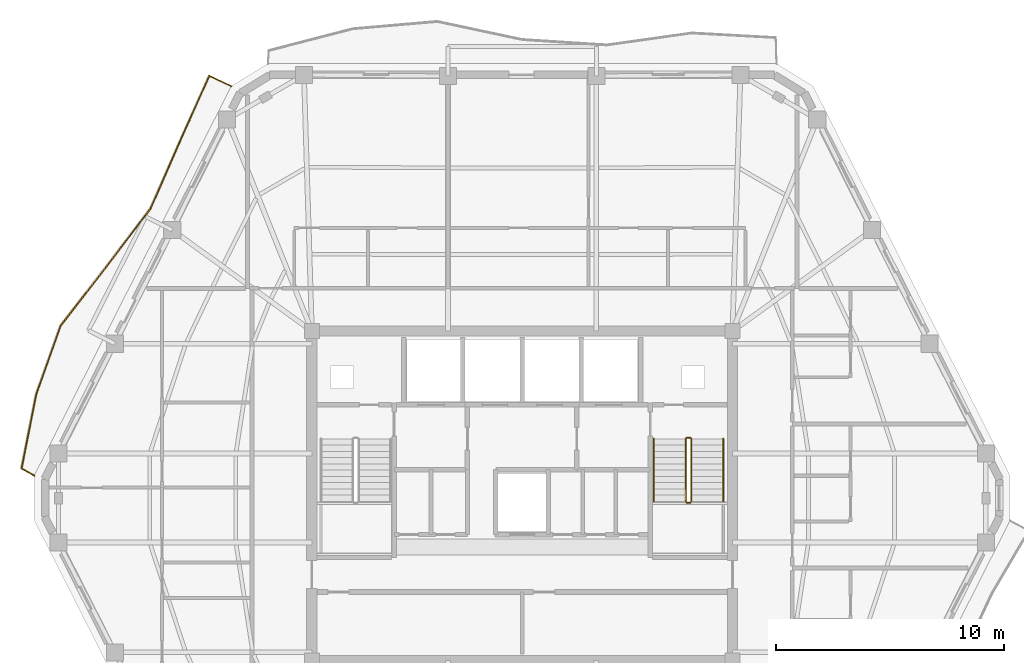
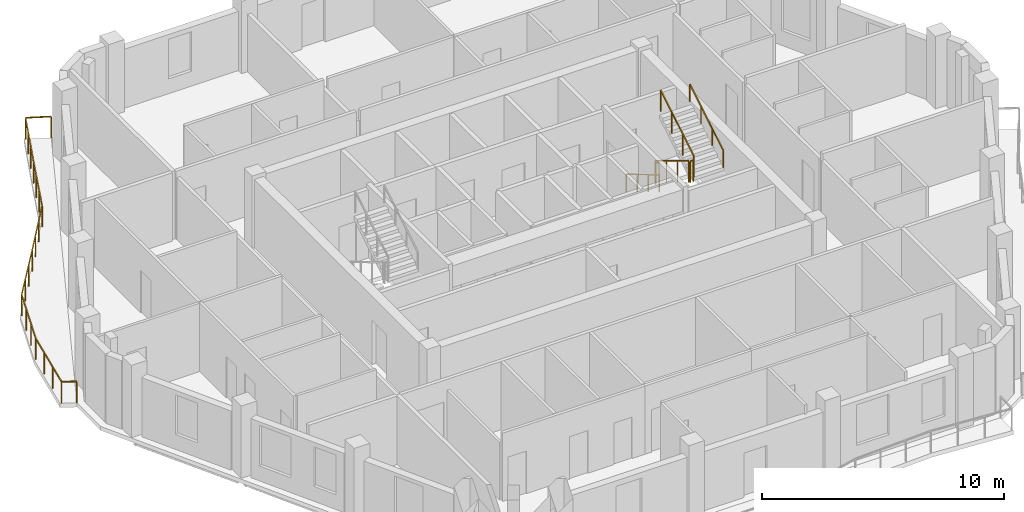
# One storey, part 10 of 11: 7 railings.
"""IFC4 building model written with IfcOpenShell, lengths in metres."""

from ifc_helpers import new_model, si_unit, direction, frame, origin, origin_2d, place, context, subcontext, project, spatial, rectangle, extrude, material, type_object, element, save


model = new_model("IFC4")

# Units and contexts
model_context = context("Model", 3, precision=1e-05, world=origin(), true_north=direction((0.0, 1.0)))
body_context = subcontext(model_context, "Body", "Model", "MODEL_VIEW")
ifc_project = project(units=[si_unit("LENGTHUNIT", "METRE"), si_unit("AREAUNIT", "SQUARE_METRE"), si_unit("VOLUMEUNIT", "CUBIC_METRE"), si_unit("PLANEANGLEUNIT", "RADIAN"), si_unit("MASSUNIT", "GRAM", prefix="KILO")], contexts=[model_context])

# Site, building, storey
site_placement = place(None, origin())
site = spatial("IfcSite", under=ifc_project, at=site_placement, CompositionType="ELEMENT")
building_placement = place(site_placement, origin())
building = spatial("IfcBuilding", under=site, at=building_placement, Name="Cinnabar Lancet Tower", CompositionType="ELEMENT")
storey_placement = place(building_placement, frame((0.0, 0.0, 248.89990234375)))
storey = spatial("IfcBuildingStorey", under=building, at=storey_placement, Name="L66", CompositionType="ELEMENT", Elevation=248.89990234375)

# Railings
ifc_material_1 = material(Name="Laminated safety glass and bronze stainless steel balustrade", Category="steel")
railing_type_1 = type_object("IfcRailingType", Name="ENV-RLG-BAL-1100", PredefinedType="BALUSTRADE", material=ifc_material_1)
railing_1_placement = place(storey_placement, frame((19.638916015625, 43.867919921875, 0.0)))
element("IfcRailing", 1, at=railing_1_placement, inside=storey, type_object=railing_type_1, Name="L66 Face 5 Wave Balcony Balustrade", PredefinedType="BALUSTRADE", context=body_context, shape_type="SweptSolid", body=[
    extrude(rectangle(XDim=0.048095703125, YDim=0.048095703125, at=origin_2d()), frame((0.0, 0.0, 1.076171875), z_axis=(-0.90498487091, 0.425443748837, 0.0), x_axis=(-0.425443748837, -0.90498487091, 0.0)), (0.0, 0.0, 1.0), 1.065185546875),
    extrude(rectangle(XDim=0.048095703125, YDim=0.048095703125, at=origin_2d()), frame((-0.9638671875, 0.453125, 1.076171875), z_axis=(-0.407623464704, -0.913150103227, 0.0), x_axis=(0.913150103227, -0.407623464704, 0.0)), (0.0, 0.0, 1.0), 3.18701171875),
    extrude(rectangle(XDim=0.048095703125, YDim=0.048095703125, at=origin_2d()), frame((-2.262939453125, -2.45703125, 1.076171875), z_axis=(-0.401092126804, -0.916037720739, 0.0), x_axis=(0.916037720739, -0.401092126804, 0.0)), (0.0, 0.0, 1.0), 3.1865234375),
    extrude(rectangle(XDim=0.048095703125, YDim=0.048095703125, at=origin_2d()), frame((-3.541015625, -5.3759765625, 1.076171875), z_axis=(-0.605433481642, -0.795895909844, 0.0), x_axis=(0.795895909844, -0.605433481642, 0.0)), (0.0, 0.0, 1.0), 3.234130859375),
    extrude(rectangle(XDim=0.048095703125, YDim=0.048095703125, at=origin_2d()), frame((-5.4990234375, -7.949951171875, 1.076171875), z_axis=(-0.612206638549, -0.790697813147, 0.0), x_axis=(0.790697813147, -0.612206638549, 0.0)), (0.0, 0.0, 1.0), 3.239013671875),
    extrude(rectangle(XDim=0.048095703125, YDim=0.048095703125, at=origin_2d()), frame((-7.48193359375, -10.510986328125, 1.076171875), z_axis=(-0.335140306927, -0.942168230558, 0.0), x_axis=(0.942168230558, -0.335140306927, 0.0)), (0.0, 0.0, 1.0), 3.20751953125),
    extrude(rectangle(XDim=0.048095703125, YDim=0.048095703125, at=origin_2d()), frame((-8.556884765625, -13.532958984375, 1.076171875), z_axis=(-0.193414938907, -0.981117047761, 0.0), x_axis=(0.981117047761, -0.193414938907, 0.0)), (0.0, 0.0, 1.0), 3.30322265625),
    extrude(rectangle(XDim=0.048095703125, YDim=0.048095703125, at=origin_2d()), frame((-9.19580078125, -16.77392578125, 1.076171875), z_axis=(0.871298507113, -0.490753412116, 0.0), x_axis=(0.490753412116, 0.871298507113, 0.0)), (0.0, 0.0, 1.0), 0.6357421875),
    extrude(rectangle(XDim=0.0419921875, YDim=0.0419921875, at=origin_2d()), origin(), (0.0, 0.0, 1.0), 1.052001953125),
    extrude(rectangle(XDim=0.0419921875, YDim=0.0419921875, at=origin_2d()), frame((-0.9638671875, 0.453125, 0.0)), (0.0, 0.0, 1.0), 1.052001953125),
    extrude(rectangle(XDim=0.0419921875, YDim=0.0419921875, at=origin_2d()), frame((-1.39697265625, -0.516845703125, 0.0)), (0.0, 0.0, 1.0), 1.052001953125),
    extrude(rectangle(XDim=0.0419921875, YDim=0.0419921875, at=origin_2d()), frame((-1.829833984375, -1.487060546875, 0.0)), (0.0, 0.0, 1.0), 1.052001953125),
    extrude(rectangle(XDim=0.0419921875, YDim=0.0419921875, at=origin_2d()), frame((-2.262939453125, -2.45703125, 0.0)), (0.0, 0.0, 1.0), 1.052001953125),
    extrude(rectangle(XDim=0.0419921875, YDim=0.0419921875, at=origin_2d()), frame((-2.68896484375, -3.429931640625, 0.0)), (0.0, 0.0, 1.0), 1.052001953125),
    extrude(rectangle(XDim=0.0419921875, YDim=0.0419921875, at=origin_2d()), frame((-3.114990234375, -4.403076171875, 0.0)), (0.0, 0.0, 1.0), 1.052001953125),
    extrude(rectangle(XDim=0.0419921875, YDim=0.0419921875, at=origin_2d()), frame((-3.541015625, -5.3759765625, 0.0)), (0.0, 0.0, 1.0), 1.052001953125),
    extrude(rectangle(XDim=0.0419921875, YDim=0.0419921875, at=origin_2d()), frame((-4.193603515625, -6.23388671875, 0.0)), (0.0, 0.0, 1.0), 1.052001953125),
    extrude(rectangle(XDim=0.0419921875, YDim=0.0419921875, at=origin_2d()), frame((-4.846435546875, -7.092041015625, 0.0)), (0.0, 0.0, 1.0), 1.052001953125),
    extrude(rectangle(XDim=0.0419921875, YDim=0.0419921875, at=origin_2d()), frame((-5.4990234375, -7.949951171875, 0.0)), (0.0, 0.0, 1.0), 1.052001953125),
    extrude(rectangle(XDim=0.0419921875, YDim=0.0419921875, at=origin_2d()), frame((-6.159912109375, -8.8037109375, 0.0)), (0.0, 0.0, 1.0), 1.052001953125),
    extrude(rectangle(XDim=0.0419921875, YDim=0.0419921875, at=origin_2d()), frame((-6.821044921875, -9.6572265625, 0.0)), (0.0, 0.0, 1.0), 1.052001953125),
    extrude(rectangle(XDim=0.0419921875, YDim=0.0419921875, at=origin_2d()), frame((-7.48193359375, -10.510986328125, 0.0)), (0.0, 0.0, 1.0), 1.052001953125),
    extrude(rectangle(XDim=0.0419921875, YDim=0.0419921875, at=origin_2d()), frame((-7.84033203125, -11.518310546875, 0.0)), (0.0, 0.0, 1.0), 1.052001953125),
    extrude(rectangle(XDim=0.0419921875, YDim=0.0419921875, at=origin_2d()), frame((-8.198486328125, -12.525634765625, 0.0)), (0.0, 0.0, 1.0), 1.052001953125),
    extrude(rectangle(XDim=0.0419921875, YDim=0.0419921875, at=origin_2d()), frame((-8.556884765625, -13.532958984375, 0.0)), (0.0, 0.0, 1.0), 1.052001953125),
    extrude(rectangle(XDim=0.0419921875, YDim=0.0419921875, at=origin_2d()), frame((-8.769775390625, -14.61328125, 0.0)), (0.0, 0.0, 1.0), 1.052001953125),
    extrude(rectangle(XDim=0.0419921875, YDim=0.0419921875, at=origin_2d()), frame((-8.98291015625, -15.693603515625, 0.0)), (0.0, 0.0, 1.0), 1.052001953125),
    extrude(rectangle(XDim=0.0419921875, YDim=0.0419921875, at=origin_2d()), frame((-9.19580078125, -16.77392578125, 0.0)), (0.0, 0.0, 1.0), 1.052001953125),
    extrude(rectangle(XDim=0.0419921875, YDim=0.0419921875, at=origin_2d()), frame((-8.641845703125, -17.0859375, 0.0)), (0.0, 0.0, 1.0), 1.052001953125),
])
ifc_material_2 = material(Name="Painted galvanized steel balustrade", Category="steel")
railing_type_2 = type_object("IfcRailingType", Name="GUARD-STAIR", PredefinedType="GUARDRAIL", material=ifc_material_2)
railing_2_placement = place(storey_placement, frame((39.574951171875, 28.39990234375, 0.166015625)))
element("IfcRailing", 2, at=railing_2_placement, inside=storey, type_object=railing_type_2, Name="L66 ST-2 stair guard 1", PredefinedType="GUARDRAIL", context=body_context, shape_type="SweptSolid", body=[
    extrude(rectangle(XDim=0.048095703125, YDim=0.048095703125, at=origin_2d()), frame((0.0, 0.0, 1.076171875), z_axis=(0.0, -0.856229400918, 0.51659579267), x_axis=(1.0, 0.0, 0.0)), (0.0, 0.0, 1.0), 3.211669921875),
    extrude(rectangle(XDim=0.0419921875, YDim=0.0419921875, at=origin_2d()), origin(), (0.0, 0.0, 1.0), 1.052001953125),
    extrude(rectangle(XDim=0.0419921875, YDim=0.0419921875, at=origin_2d()), frame((0.0, -0.916748046875, 0.552978515625)), (0.0, 0.0, 1.0), 1.052001953125),
    extrude(rectangle(XDim=0.0419921875, YDim=0.0419921875, at=origin_2d()), frame((0.0, -1.833251953125, 1.106201171875)), (0.0, 0.0, 1.0), 1.052001953125),
    extrude(rectangle(XDim=0.0419921875, YDim=0.0419921875, at=origin_2d()), frame((0.0, -2.75, 1.6591796875)), (0.0, 0.0, 1.0), 1.052001953125),
])
railing_3_placement = place(storey_placement, frame((39.625, 25.60009765625, 1.8251953125)))
element("IfcRailing", 3, at=railing_3_placement, inside=storey, type_object=railing_type_2, Name="L66 ST-2 stair guard 2", PredefinedType="GUARDRAIL", context=body_context, shape_type="SweptSolid", body=[
    extrude(rectangle(XDim=0.048095703125, YDim=0.048095703125, at=origin_2d()), frame((0.0, 0.0, 1.076171875), z_axis=(1.0, 0.0, 0.0), x_axis=(0.0, 1.0, 0.0)), (0.0, 0.0, 1.0), 0.14990234375),
    extrude(rectangle(XDim=0.0419921875, YDim=0.0419921875, at=origin_2d()), origin(), (0.0, 0.0, 1.0), 1.052001953125),
    extrude(rectangle(XDim=0.0419921875, YDim=0.0419921875, at=origin_2d()), frame((0.14990234375, 0.0, 0.0)), (0.0, 0.0, 1.0), 1.052001953125),
])
railing_4_placement = place(storey_placement, frame((39.824951171875, 25.64990234375, 1.990966796875)))
element("IfcRailing", 4, at=railing_4_placement, inside=storey, type_object=railing_type_2, Name="L66 ST-2 stair guard 3", PredefinedType="GUARDRAIL", context=body_context, shape_type="SweptSolid", body=[
    extrude(rectangle(XDim=0.048095703125, YDim=0.048095703125, at=origin_2d()), frame((0.0, 0.0, 1.076171875), z_axis=(0.0, 0.856229400918, 0.51659579267), x_axis=(-1.0, 0.0, 0.0)), (0.0, 0.0, 1.0), 3.211669921875),
    extrude(rectangle(XDim=0.0419921875, YDim=0.0419921875, at=origin_2d()), origin(), (0.0, 0.0, 1.0), 1.052001953125),
    extrude(rectangle(XDim=0.0419921875, YDim=0.0419921875, at=origin_2d()), frame((0.0, 0.916748046875, 0.552978515625)), (0.0, 0.0, 1.0), 1.052001953125),
    extrude(rectangle(XDim=0.0419921875, YDim=0.0419921875, at=origin_2d()), frame((0.0, 1.833251953125, 1.106201171875)), (0.0, 0.0, 1.0), 1.052001953125),
    extrude(rectangle(XDim=0.0419921875, YDim=0.0419921875, at=origin_2d()), frame((0.0, 2.75, 1.6591796875)), (0.0, 0.0, 1.0), 1.052001953125),
])
railing_5_placement = place(storey_placement, frame((39.625, 28.449951171875, 0.0)))
element("IfcRailing", 5, at=railing_5_placement, inside=storey, type_object=railing_type_2, Name="L66 ST-2 stair guard 4", PredefinedType="GUARDRAIL", context=body_context, shape_type="SweptSolid", body=[
    extrude(rectangle(XDim=0.048095703125, YDim=0.048095703125, at=origin_2d()), frame((0.0, 0.0, 1.076171875), z_axis=(1.0, 0.0, 0.0), x_axis=(0.0, 1.0, 0.0)), (0.0, 0.0, 1.0), 0.14990234375),
    extrude(rectangle(XDim=0.0419921875, YDim=0.0419921875, at=origin_2d()), origin(), (0.0, 0.0, 1.0), 1.052001953125),
    extrude(rectangle(XDim=0.0419921875, YDim=0.0419921875, at=origin_2d()), frame((0.14990234375, 0.0, 0.0)), (0.0, 0.0, 1.0), 1.052001953125),
])
ifc_material_3 = material(Name="Brushed stainless steel handrail", Category="steel")
railing_type_3 = type_object("IfcRailingType", Name="HANDRAIL-STAIR", PredefinedType="HANDRAIL", material=ifc_material_3)
railing_6_placement = place(storey_placement, frame((38.175048828125, 28.39990234375, 0.166015625)))
element("IfcRailing", 6, at=railing_6_placement, inside=storey, type_object=railing_type_3, Name="L66 ST-2 stair handrail 1", PredefinedType="HANDRAIL", context=body_context, shape_type="SweptSolid", body=[
    extrude(rectangle(XDim=0.048095703125, YDim=0.048095703125, at=origin_2d()), frame((0.0, 0.0, 0.8759765625), z_axis=(0.0, -0.856229400918, 0.51659579267), x_axis=(1.0, 0.0, 0.0)), (0.0, 0.0, 1.0), 3.211669921875),
    extrude(rectangle(XDim=0.0419921875, YDim=0.0419921875, at=origin_2d()), origin(), (0.0, 0.0, 1.0), 0.851806640625),
    extrude(rectangle(XDim=0.0419921875, YDim=0.0419921875, at=origin_2d()), frame((0.0, -0.916748046875, 0.552978515625)), (0.0, 0.0, 1.0), 0.851806640625),
    extrude(rectangle(XDim=0.0419921875, YDim=0.0419921875, at=origin_2d()), frame((0.0, -1.833251953125, 1.106201171875)), (0.0, 0.0, 1.0), 0.851806640625),
    extrude(rectangle(XDim=0.0419921875, YDim=0.0419921875, at=origin_2d()), frame((0.0, -2.75, 1.6591796875)), (0.0, 0.0, 1.0), 0.851806640625),
])
railing_7_placement = place(storey_placement, frame((41.22509765625, 25.64990234375, 1.990966796875)))
element("IfcRailing", 7, at=railing_7_placement, inside=storey, type_object=railing_type_3, Name="L66 ST-2 stair handrail 2", PredefinedType="HANDRAIL", context=body_context, shape_type="SweptSolid", body=[
    extrude(rectangle(XDim=0.048095703125, YDim=0.048095703125, at=origin_2d()), frame((0.0, 0.0, 0.8759765625), z_axis=(0.0, 0.856229400918, 0.51659579267), x_axis=(-1.0, 0.0, 0.0)), (0.0, 0.0, 1.0), 3.211669921875),
    extrude(rectangle(XDim=0.0419921875, YDim=0.0419921875, at=origin_2d()), origin(), (0.0, 0.0, 1.0), 0.851806640625),
    extrude(rectangle(XDim=0.0419921875, YDim=0.0419921875, at=origin_2d()), frame((0.0, 0.916748046875, 0.552978515625)), (0.0, 0.0, 1.0), 0.851806640625),
    extrude(rectangle(XDim=0.0419921875, YDim=0.0419921875, at=origin_2d()), frame((0.0, 1.833251953125, 1.106201171875)), (0.0, 0.0, 1.0), 0.851806640625),
    extrude(rectangle(XDim=0.0419921875, YDim=0.0419921875, at=origin_2d()), frame((0.0, 2.75, 1.6591796875)), (0.0, 0.0, 1.0), 0.851806640625),
])

save(model, "model.ifc")
